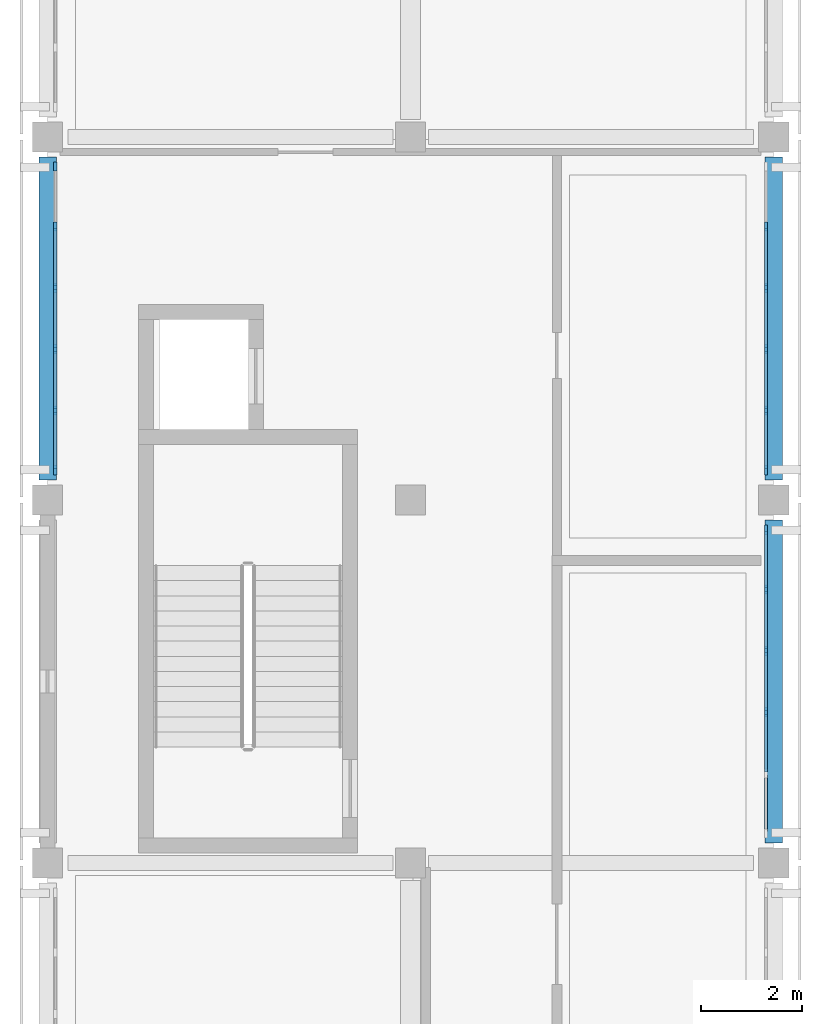
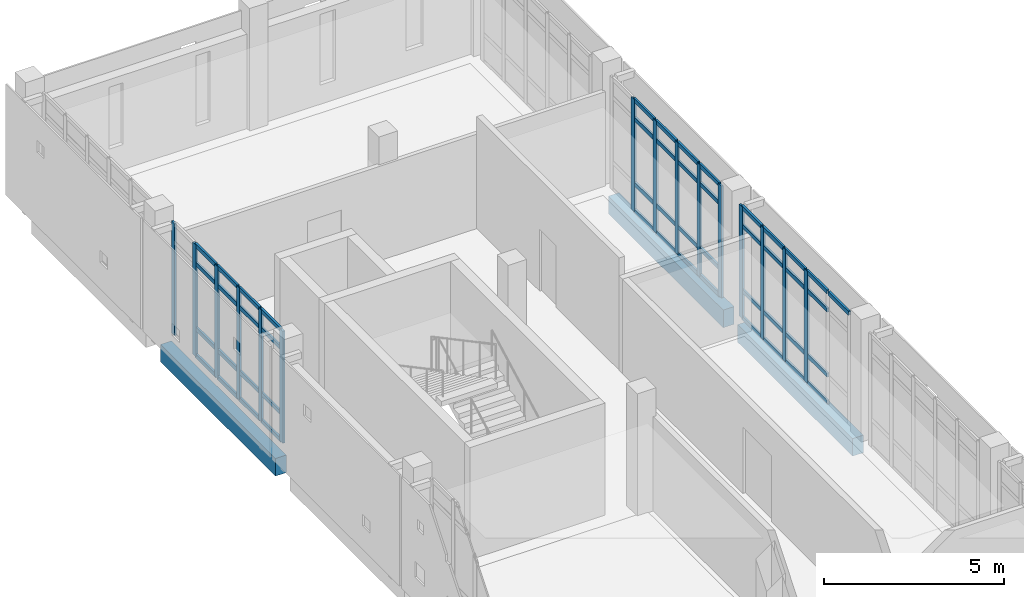
# One storey, part 8 of 21: 64 members, 3 beams, 3 elements without a shape of their own.
"""IFC4 building model written with IfcOpenShell, lengths in metres."""

from ifc_helpers import new_model, si_unit, direction, frame, origin, origin_2d, place, context, subcontext, project, spatial, rectangle, extrude, material, layer, layer_set, material_profile, profile_set, type_object, element, aggregate, save


model = new_model("IFC4")

# Units and contexts
model_context = context("Model", 3, precision=1e-05, world=origin(), true_north=direction((0.0, 1.0)))
body_context = subcontext(model_context, "Body", "Model", "MODEL_VIEW")
ifc_project = project(units=[si_unit("LENGTHUNIT", "METRE"), si_unit("AREAUNIT", "SQUARE_METRE"), si_unit("VOLUMEUNIT", "CUBIC_METRE"), si_unit("PLANEANGLEUNIT", "RADIAN"), si_unit("MASSUNIT", "GRAM", prefix="KILO")], contexts=[model_context])

# Site, building, storey
site_placement = place(None, origin())
site = spatial("IfcSite", under=ifc_project, at=site_placement, CompositionType="ELEMENT")
building_placement = place(site_placement, origin())
building = spatial("IfcBuilding", under=site, at=building_placement, Name="Valkovuoma Quantum and Materials Research Institute", CompositionType="ELEMENT")
storey_placement = place(building_placement, frame((0.0, 0.0, 29.760009765625)))
storey = spatial("IfcBuildingStorey", under=building, at=storey_placement, Name="L07", CompositionType="ELEMENT", Elevation=29.760009765625)

# Beams
ifc_material_1 = material(Name="Concrete C40/50", Category="concrete")
ifc_material_profile_1 = material_profile(ifc_material_1, rectangle(XDim=0.35009765625, YDim=0.60009765625, at=origin_2d()), Name="Concrete C40/50")
ifc_profile_set_1 = profile_set([ifc_material_profile_1], Name="Concrete C40/50")
beam_type = type_object("IfcBeamType", Name="Beam-B-SPN600", PredefinedType="SPANDREL", material=ifc_profile_set_1)
beam_1_placement = place(storey_placement, frame((0.0, 79.60009765625, -0.64990234375), z_axis=(0.0, 1.0, 0.0), x_axis=(-1.0, 0.0, 0.0)))
element("IfcBeam", 1, at=beam_1_placement, inside=storey, type_object=beam_type, Name="L07 beam Y-2511", PredefinedType="SPANDREL", context=body_context, shape_type="SweptSolid", body=[
    extrude(rectangle(XDim=0.35009765625, YDim=0.60009765625, at=origin_2d()), origin(), (0.0, 0.0, 1.0), 6.39990234375),
])
beam_2_placement = place(storey_placement, frame((14.39990234375, 72.39990234375, -0.64990234375), z_axis=(0.0, 1.0, 0.0), x_axis=(-1.0, 0.0, 0.0)))
element("IfcBeam", 2, at=beam_2_placement, inside=storey, type_object=beam_type, Name="L07 beam Y-2518", PredefinedType="SPANDREL", context=body_context, shape_type="SweptSolid", body=[
    extrude(rectangle(XDim=0.35009765625, YDim=0.60009765625, at=origin_2d()), origin(), (0.0, 0.0, 1.0), 6.400146484375),
])
beam_3_placement = place(storey_placement, frame((14.39990234375, 79.60009765625, -0.64990234375), z_axis=(0.0, 1.0, 0.0), x_axis=(-1.0, 0.0, 0.0)))
element("IfcBeam", 3, at=beam_3_placement, inside=storey, type_object=beam_type, Name="L07 beam Y-2519", PredefinedType="SPANDREL", context=body_context, shape_type="SweptSolid", body=[
    extrude(rectangle(XDim=0.35009765625, YDim=0.60009765625, at=origin_2d()), origin(), (0.0, 0.0, 1.0), 6.39990234375),
])

# Curtain wall, members
ifc_material_2 = material(Name="Thermally broken aluminium and triple low-E glazing", Category="aluminium")
ifc_layer = layer(ifc_material_2, 0.219970703125)
ifc_layer_set = layer_set([ifc_layer], Name="Thermally broken aluminium and triple low-E glazing")
curtain_wall_type = type_object("IfcCurtainWallType", Name="CW-CW-01", PredefinedType="NOTDEFINED", material=ifc_layer_set)
curtain_wall_1_placement = place(storey_placement, origin())
curtain_wall_1 = element("IfcCurtainWall", 4, at=curtain_wall_1_placement, inside=storey, type_object=curtain_wall_type, Name="L07 curtain wall 104", PredefinedType="NOTDEFINED")
ifc_material_3 = material(Name="Anodised aluminium 6060-T66", Category="aluminium")
ifc_material_profile_2 = material_profile(ifc_material_3, rectangle(XDim=0.06494140625, YDim=0.179931640625, at=origin_2d()), Name="Anodised aluminium 6060-T66")
ifc_profile_set_2 = profile_set([ifc_material_profile_2], Name="Anodised aluminium 6060-T66")
member_type_1 = type_object("IfcMemberType", Name="CWMull-CWM-01", PredefinedType="MULLION", material=ifc_profile_set_2)
member_1_placement = place(storey_placement, frame((14.25, 74.991455078125, 0.0), z_axis=(0.0, 0.0, 1.0), x_axis=(-1.0, 0.0, 0.0)))
member_1 = element("IfcMember", 5, at=member_1_placement, type_object=member_type_1, Name="CW-01 mullion 3", PredefinedType="MULLION", context=body_context, shape_type="SweptSolid", body=[
    extrude(rectangle(XDim=0.06494140625, YDim=0.179931640625, at=origin_2d()), origin(), (0.0, 0.0, 1.0), 3.81005859375),
])
member_2_placement = place(storey_placement, frame((14.25, 76.20849609375, 0.0), z_axis=(0.0, 0.0, 1.0), x_axis=(-1.0, 0.0, 0.0)))
member_2 = element("IfcMember", 6, at=member_2_placement, type_object=member_type_1, Name="CW-01 mullion 4", PredefinedType="MULLION", context=body_context, shape_type="SweptSolid", body=[
    extrude(rectangle(XDim=0.06494140625, YDim=0.179931640625, at=origin_2d()), origin(), (0.0, 0.0, 1.0), 3.81005859375),
])
member_3_placement = place(storey_placement, frame((14.25, 77.42578125, 0.0), z_axis=(0.0, 0.0, 1.0), x_axis=(-1.0, 0.0, 0.0)))
member_3 = element("IfcMember", 7, at=member_3_placement, type_object=member_type_1, Name="CW-01 mullion 5", PredefinedType="MULLION", context=body_context, shape_type="SweptSolid", body=[
    extrude(rectangle(XDim=0.06494140625, YDim=0.179931640625, at=origin_2d()), origin(), (0.0, 0.0, 1.0), 3.81005859375),
])
member_4_placement = place(storey_placement, frame((14.25, 78.6103515625, 0.0), z_axis=(0.0, 0.0, 1.0), x_axis=(-1.0, 0.0, 0.0)))
member_4 = element("IfcMember", 8, at=member_4_placement, type_object=member_type_1, Name="CW-01 mullion 6", PredefinedType="MULLION", context=body_context, shape_type="SweptSolid", body=[
    extrude(rectangle(XDim=0.06494140625, YDim=0.179931640625, at=origin_2d()), origin(), (0.0, 0.0, 1.0), 3.81005859375),
])

curtain_wall_2_placement = place(storey_placement, origin())
curtain_wall_2 = element("IfcCurtainWall", 9, at=curtain_wall_2_placement, inside=storey, type_object=curtain_wall_type, Name="L07 curtain wall 105", PredefinedType="NOTDEFINED")
member_5_placement = place(storey_placement, frame((0.14990234375, 79.78955078125, 0.0), z_axis=(0.0, 0.0, 1.0), x_axis=(-1.0, 0.0, 0.0)))
member_5 = element("IfcMember", 10, at=member_5_placement, type_object=member_type_1, Name="CW-01 mullion 1", PredefinedType="MULLION", context=body_context, shape_type="SweptSolid", body=[
    extrude(rectangle(XDim=0.06494140625, YDim=0.179931640625, at=origin_2d()), origin(), (0.0, 0.0, 1.0), 3.81005859375),
])
member_6_placement = place(storey_placement, frame((0.14990234375, 80.974365234375, 0.0), z_axis=(0.0, 0.0, 1.0), x_axis=(-1.0, 0.0, 0.0)))
member_6 = element("IfcMember", 11, at=member_6_placement, type_object=member_type_1, Name="CW-01 mullion 2", PredefinedType="MULLION", context=body_context, shape_type="SweptSolid", body=[
    extrude(rectangle(XDim=0.06494140625, YDim=0.179931640625, at=origin_2d()), origin(), (0.0, 0.0, 1.0), 3.81005859375),
])
member_7_placement = place(storey_placement, frame((0.14990234375, 82.19140625, 0.0), z_axis=(0.0, 0.0, 1.0), x_axis=(-1.0, 0.0, 0.0)))
member_7 = element("IfcMember", 12, at=member_7_placement, type_object=member_type_1, Name="CW-01 mullion 3", PredefinedType="MULLION", context=body_context, shape_type="SweptSolid", body=[
    extrude(rectangle(XDim=0.06494140625, YDim=0.179931640625, at=origin_2d()), origin(), (0.0, 0.0, 1.0), 3.81005859375),
])
member_8_placement = place(storey_placement, frame((0.14990234375, 83.40869140625, 0.0), z_axis=(0.0, 0.0, 1.0), x_axis=(-1.0, 0.0, 0.0)))
member_8 = element("IfcMember", 13, at=member_8_placement, type_object=member_type_1, Name="CW-01 mullion 4", PredefinedType="MULLION", context=body_context, shape_type="SweptSolid", body=[
    extrude(rectangle(XDim=0.06494140625, YDim=0.179931640625, at=origin_2d()), origin(), (0.0, 0.0, 1.0), 3.81005859375),
])
member_9_placement = place(storey_placement, frame((0.14990234375, 84.625732421875, 0.0), z_axis=(0.0, 0.0, 1.0), x_axis=(-1.0, 0.0, 0.0)))
member_9 = element("IfcMember", 14, at=member_9_placement, type_object=member_type_1, Name="CW-01 mullion 5", PredefinedType="MULLION", context=body_context, shape_type="SweptSolid", body=[
    extrude(rectangle(XDim=0.06494140625, YDim=0.179931640625, at=origin_2d()), origin(), (0.0, 0.0, 1.0), 3.81005859375),
])
member_10_placement = place(storey_placement, frame((0.14990234375, 85.810302734375, 0.0), z_axis=(0.0, 0.0, 1.0), x_axis=(-1.0, 0.0, 0.0)))
member_10 = element("IfcMember", 15, at=member_10_placement, type_object=member_type_1, Name="CW-01 mullion 6", PredefinedType="MULLION", context=body_context, shape_type="SweptSolid", body=[
    extrude(rectangle(XDim=0.06494140625, YDim=0.179931640625, at=origin_2d()), origin(), (0.0, 0.0, 1.0), 3.81005859375),
])

curtain_wall_3_placement = place(storey_placement, origin())
curtain_wall_3 = element("IfcCurtainWall", 16, at=curtain_wall_3_placement, inside=storey, type_object=curtain_wall_type, Name="L07 curtain wall 106", PredefinedType="NOTDEFINED")
member_11_placement = place(storey_placement, frame((14.25, 79.78955078125, 0.0), z_axis=(0.0, 0.0, 1.0), x_axis=(-1.0, 0.0, 0.0)))
member_11 = element("IfcMember", 17, at=member_11_placement, type_object=member_type_1, Name="CW-01 mullion 1", PredefinedType="MULLION", context=body_context, shape_type="SweptSolid", body=[
    extrude(rectangle(XDim=0.06494140625, YDim=0.179931640625, at=origin_2d()), origin(), (0.0, 0.0, 1.0), 3.81005859375),
])
member_12_placement = place(storey_placement, frame((14.25, 80.974365234375, 0.0), z_axis=(0.0, 0.0, 1.0), x_axis=(-1.0, 0.0, 0.0)))
member_12 = element("IfcMember", 18, at=member_12_placement, type_object=member_type_1, Name="CW-01 mullion 2", PredefinedType="MULLION", context=body_context, shape_type="SweptSolid", body=[
    extrude(rectangle(XDim=0.06494140625, YDim=0.179931640625, at=origin_2d()), origin(), (0.0, 0.0, 1.0), 3.81005859375),
])
member_13_placement = place(storey_placement, frame((14.25, 82.19140625, 0.0), z_axis=(0.0, 0.0, 1.0), x_axis=(-1.0, 0.0, 0.0)))
member_13 = element("IfcMember", 19, at=member_13_placement, type_object=member_type_1, Name="CW-01 mullion 3", PredefinedType="MULLION", context=body_context, shape_type="SweptSolid", body=[
    extrude(rectangle(XDim=0.06494140625, YDim=0.179931640625, at=origin_2d()), origin(), (0.0, 0.0, 1.0), 3.81005859375),
])
member_14_placement = place(storey_placement, frame((14.25, 83.40869140625, 0.0), z_axis=(0.0, 0.0, 1.0), x_axis=(-1.0, 0.0, 0.0)))
member_14 = element("IfcMember", 20, at=member_14_placement, type_object=member_type_1, Name="CW-01 mullion 4", PredefinedType="MULLION", context=body_context, shape_type="SweptSolid", body=[
    extrude(rectangle(XDim=0.06494140625, YDim=0.179931640625, at=origin_2d()), origin(), (0.0, 0.0, 1.0), 3.81005859375),
])
member_15_placement = place(storey_placement, frame((14.25, 84.625732421875, 0.0), z_axis=(0.0, 0.0, 1.0), x_axis=(-1.0, 0.0, 0.0)))
member_15 = element("IfcMember", 21, at=member_15_placement, type_object=member_type_1, Name="CW-01 mullion 5", PredefinedType="MULLION", context=body_context, shape_type="SweptSolid", body=[
    extrude(rectangle(XDim=0.06494140625, YDim=0.179931640625, at=origin_2d()), origin(), (0.0, 0.0, 1.0), 3.81005859375),
])

# Member
ifc_material_4 = material(Name="Anodised aluminium 6060-T66", Category="aluminium")
ifc_material_profile_3 = material_profile(ifc_material_4, rectangle(XDim=0.06494140625, YDim=0.139892578125, at=origin_2d()), Name="Anodised aluminium 6060-T66")
ifc_profile_set_3 = profile_set([ifc_material_profile_3], Name="Anodised aluminium 6060-T66")
member_type_2 = type_object("IfcMemberType", Name="CWTran-CWT-01", PredefinedType="USERDEFINED", material=ifc_profile_set_3)
member_16_placement = place(storey_placement, frame((14.25, 72.6220703125, 3.777587890625), z_axis=(0.0, 1.0, 0.0), x_axis=(-1.0, 0.0, 0.0)))
member_16 = element("IfcMember", 22, at=member_16_placement, type_object=member_type_2, Name="CW-01 transom 1.4", ObjectType="TRANSOM", PredefinedType="USERDEFINED", context=body_context, shape_type="SweptSolid", body=[
    extrude(rectangle(XDim=0.06494140625, YDim=0.139892578125, at=origin_2d()), origin(), (0.0, 0.0, 1.0), 1.11962890625),
])

member_17_placement = place(storey_placement, frame((14.25, 73.806640625, 0.032470703125), z_axis=(0.0, 1.0, 0.0), x_axis=(-1.0, 0.0, 0.0)))
member_17 = element("IfcMember", 23, at=member_17_placement, type_object=member_type_2, Name="CW-01 transom 2.1", ObjectType="TRANSOM", PredefinedType="USERDEFINED", context=body_context, shape_type="SweptSolid", body=[
    extrude(rectangle(XDim=0.06494140625, YDim=0.139892578125, at=origin_2d()), origin(), (0.0, 0.0, 1.0), 1.15234375),
])

member_18_placement = place(storey_placement, frame((14.25, 73.806640625, 0.949951171875), z_axis=(0.0, 1.0, 0.0), x_axis=(-1.0, 0.0, 0.0)))
member_18 = element("IfcMember", 24, at=member_18_placement, type_object=member_type_2, Name="CW-01 transom 2.2", ObjectType="TRANSOM", PredefinedType="USERDEFINED", context=body_context, shape_type="SweptSolid", body=[
    extrude(rectangle(XDim=0.06494140625, YDim=0.139892578125, at=origin_2d()), origin(), (0.0, 0.0, 1.0), 1.15234375),
])

member_19_placement = place(storey_placement, frame((14.25, 73.806640625, 3.159912109375), z_axis=(0.0, 1.0, 0.0), x_axis=(-1.0, 0.0, 0.0)))
member_19 = element("IfcMember", 25, at=member_19_placement, type_object=member_type_2, Name="CW-01 transom 2.3", ObjectType="TRANSOM", PredefinedType="USERDEFINED", context=body_context, shape_type="SweptSolid", body=[
    extrude(rectangle(XDim=0.06494140625, YDim=0.139892578125, at=origin_2d()), origin(), (0.0, 0.0, 1.0), 1.15234375),
])

member_20_placement = place(storey_placement, frame((14.25, 73.806640625, 3.777587890625), z_axis=(0.0, 1.0, 0.0), x_axis=(-1.0, 0.0, 0.0)))
member_20 = element("IfcMember", 26, at=member_20_placement, type_object=member_type_2, Name="CW-01 transom 2.4", ObjectType="TRANSOM", PredefinedType="USERDEFINED", context=body_context, shape_type="SweptSolid", body=[
    extrude(rectangle(XDim=0.06494140625, YDim=0.139892578125, at=origin_2d()), origin(), (0.0, 0.0, 1.0), 1.15234375),
])

member_21_placement = place(storey_placement, frame((14.25, 75.02392578125, 0.032470703125), z_axis=(0.0, 1.0, 0.0), x_axis=(-1.0, 0.0, 0.0)))
member_21 = element("IfcMember", 27, at=member_21_placement, type_object=member_type_2, Name="CW-01 transom 3.1", ObjectType="TRANSOM", PredefinedType="USERDEFINED", context=body_context, shape_type="SweptSolid", body=[
    extrude(rectangle(XDim=0.06494140625, YDim=0.139892578125, at=origin_2d()), origin(), (0.0, 0.0, 1.0), 1.152099609375),
])

member_22_placement = place(storey_placement, frame((14.25, 75.02392578125, 0.949951171875), z_axis=(0.0, 1.0, 0.0), x_axis=(-1.0, 0.0, 0.0)))
member_22 = element("IfcMember", 28, at=member_22_placement, type_object=member_type_2, Name="CW-01 transom 3.2", ObjectType="TRANSOM", PredefinedType="USERDEFINED", context=body_context, shape_type="SweptSolid", body=[
    extrude(rectangle(XDim=0.06494140625, YDim=0.139892578125, at=origin_2d()), origin(), (0.0, 0.0, 1.0), 1.152099609375),
])

member_23_placement = place(storey_placement, frame((14.25, 75.02392578125, 3.159912109375), z_axis=(0.0, 1.0, 0.0), x_axis=(-1.0, 0.0, 0.0)))
member_23 = element("IfcMember", 29, at=member_23_placement, type_object=member_type_2, Name="CW-01 transom 3.3", ObjectType="TRANSOM", PredefinedType="USERDEFINED", context=body_context, shape_type="SweptSolid", body=[
    extrude(rectangle(XDim=0.06494140625, YDim=0.139892578125, at=origin_2d()), origin(), (0.0, 0.0, 1.0), 1.152099609375),
])

member_24_placement = place(storey_placement, frame((14.25, 75.02392578125, 3.777587890625), z_axis=(0.0, 1.0, 0.0), x_axis=(-1.0, 0.0, 0.0)))
member_24 = element("IfcMember", 30, at=member_24_placement, type_object=member_type_2, Name="CW-01 transom 3.4", ObjectType="TRANSOM", PredefinedType="USERDEFINED", context=body_context, shape_type="SweptSolid", body=[
    extrude(rectangle(XDim=0.06494140625, YDim=0.139892578125, at=origin_2d()), origin(), (0.0, 0.0, 1.0), 1.152099609375),
])

member_25_placement = place(storey_placement, frame((14.25, 76.240966796875, 0.032470703125), z_axis=(0.0, 1.0, 0.0), x_axis=(-1.0, 0.0, 0.0)))
member_25 = element("IfcMember", 31, at=member_25_placement, type_object=member_type_2, Name="CW-01 transom 4.1", ObjectType="TRANSOM", PredefinedType="USERDEFINED", context=body_context, shape_type="SweptSolid", body=[
    extrude(rectangle(XDim=0.06494140625, YDim=0.139892578125, at=origin_2d()), origin(), (0.0, 0.0, 1.0), 1.15234375),
])

member_26_placement = place(storey_placement, frame((14.25, 76.240966796875, 0.949951171875), z_axis=(0.0, 1.0, 0.0), x_axis=(-1.0, 0.0, 0.0)))
member_26 = element("IfcMember", 32, at=member_26_placement, type_object=member_type_2, Name="CW-01 transom 4.2", ObjectType="TRANSOM", PredefinedType="USERDEFINED", context=body_context, shape_type="SweptSolid", body=[
    extrude(rectangle(XDim=0.06494140625, YDim=0.139892578125, at=origin_2d()), origin(), (0.0, 0.0, 1.0), 1.15234375),
])

member_27_placement = place(storey_placement, frame((14.25, 76.240966796875, 3.159912109375), z_axis=(0.0, 1.0, 0.0), x_axis=(-1.0, 0.0, 0.0)))
member_27 = element("IfcMember", 33, at=member_27_placement, type_object=member_type_2, Name="CW-01 transom 4.3", ObjectType="TRANSOM", PredefinedType="USERDEFINED", context=body_context, shape_type="SweptSolid", body=[
    extrude(rectangle(XDim=0.06494140625, YDim=0.139892578125, at=origin_2d()), origin(), (0.0, 0.0, 1.0), 1.15234375),
])

member_28_placement = place(storey_placement, frame((14.25, 76.240966796875, 3.777587890625), z_axis=(0.0, 1.0, 0.0), x_axis=(-1.0, 0.0, 0.0)))
member_28 = element("IfcMember", 34, at=member_28_placement, type_object=member_type_2, Name="CW-01 transom 4.4", ObjectType="TRANSOM", PredefinedType="USERDEFINED", context=body_context, shape_type="SweptSolid", body=[
    extrude(rectangle(XDim=0.06494140625, YDim=0.139892578125, at=origin_2d()), origin(), (0.0, 0.0, 1.0), 1.15234375),
])

member_29_placement = place(storey_placement, frame((14.25, 77.458251953125, 0.032470703125), z_axis=(0.0, 1.0, 0.0), x_axis=(-1.0, 0.0, 0.0)))
member_29 = element("IfcMember", 35, at=member_29_placement, type_object=member_type_2, Name="CW-01 transom 5.1", ObjectType="TRANSOM", PredefinedType="USERDEFINED", context=body_context, shape_type="SweptSolid", body=[
    extrude(rectangle(XDim=0.06494140625, YDim=0.139892578125, at=origin_2d()), origin(), (0.0, 0.0, 1.0), 1.11962890625),
])

member_30_placement = place(storey_placement, frame((14.25, 77.458251953125, 0.949951171875), z_axis=(0.0, 1.0, 0.0), x_axis=(-1.0, 0.0, 0.0)))
member_30 = element("IfcMember", 36, at=member_30_placement, type_object=member_type_2, Name="CW-01 transom 5.2", ObjectType="TRANSOM", PredefinedType="USERDEFINED", context=body_context, shape_type="SweptSolid", body=[
    extrude(rectangle(XDim=0.06494140625, YDim=0.139892578125, at=origin_2d()), origin(), (0.0, 0.0, 1.0), 1.11962890625),
])

member_31_placement = place(storey_placement, frame((14.25, 77.458251953125, 3.159912109375), z_axis=(0.0, 1.0, 0.0), x_axis=(-1.0, 0.0, 0.0)))
member_31 = element("IfcMember", 37, at=member_31_placement, type_object=member_type_2, Name="CW-01 transom 5.3", ObjectType="TRANSOM", PredefinedType="USERDEFINED", context=body_context, shape_type="SweptSolid", body=[
    extrude(rectangle(XDim=0.06494140625, YDim=0.139892578125, at=origin_2d()), origin(), (0.0, 0.0, 1.0), 1.11962890625),
])

member_32_placement = place(storey_placement, frame((14.25, 77.458251953125, 3.777587890625), z_axis=(0.0, 1.0, 0.0), x_axis=(-1.0, 0.0, 0.0)))
member_32 = element("IfcMember", 38, at=member_32_placement, type_object=member_type_2, Name="CW-01 transom 5.4", ObjectType="TRANSOM", PredefinedType="USERDEFINED", context=body_context, shape_type="SweptSolid", body=[
    extrude(rectangle(XDim=0.06494140625, YDim=0.139892578125, at=origin_2d()), origin(), (0.0, 0.0, 1.0), 1.11962890625),
])

aggregate(curtain_wall_1, [member_1, member_2, member_3, member_4, member_16, member_17, member_18, member_19, member_20, member_21, member_22, member_23, member_24, member_25, member_26, member_27, member_28, member_29, member_30, member_31, member_32])

member_33_placement = place(storey_placement, frame((0.14990234375, 79.822021484375, 0.032470703125), z_axis=(0.0, 1.0, 0.0), x_axis=(-1.0, 0.0, 0.0)))
member_33 = element("IfcMember", 39, at=member_33_placement, type_object=member_type_2, Name="CW-01 transom 1.1", ObjectType="TRANSOM", PredefinedType="USERDEFINED", context=body_context, shape_type="SweptSolid", body=[
    extrude(rectangle(XDim=0.06494140625, YDim=0.139892578125, at=origin_2d()), origin(), (0.0, 0.0, 1.0), 1.11962890625),
])

member_34_placement = place(storey_placement, frame((0.14990234375, 79.822021484375, 0.949951171875), z_axis=(0.0, 1.0, 0.0), x_axis=(-1.0, 0.0, 0.0)))
member_34 = element("IfcMember", 40, at=member_34_placement, type_object=member_type_2, Name="CW-01 transom 1.2", ObjectType="TRANSOM", PredefinedType="USERDEFINED", context=body_context, shape_type="SweptSolid", body=[
    extrude(rectangle(XDim=0.06494140625, YDim=0.139892578125, at=origin_2d()), origin(), (0.0, 0.0, 1.0), 1.11962890625),
])

member_35_placement = place(storey_placement, frame((0.14990234375, 79.822021484375, 3.159912109375), z_axis=(0.0, 1.0, 0.0), x_axis=(-1.0, 0.0, 0.0)))
member_35 = element("IfcMember", 41, at=member_35_placement, type_object=member_type_2, Name="CW-01 transom 1.3", ObjectType="TRANSOM", PredefinedType="USERDEFINED", context=body_context, shape_type="SweptSolid", body=[
    extrude(rectangle(XDim=0.06494140625, YDim=0.139892578125, at=origin_2d()), origin(), (0.0, 0.0, 1.0), 1.11962890625),
])

member_36_placement = place(storey_placement, frame((0.14990234375, 79.822021484375, 3.777587890625), z_axis=(0.0, 1.0, 0.0), x_axis=(-1.0, 0.0, 0.0)))
member_36 = element("IfcMember", 42, at=member_36_placement, type_object=member_type_2, Name="CW-01 transom 1.4", ObjectType="TRANSOM", PredefinedType="USERDEFINED", context=body_context, shape_type="SweptSolid", body=[
    extrude(rectangle(XDim=0.06494140625, YDim=0.139892578125, at=origin_2d()), origin(), (0.0, 0.0, 1.0), 1.11962890625),
])

member_37_placement = place(storey_placement, frame((0.14990234375, 81.0068359375, 0.032470703125), z_axis=(0.0, 1.0, 0.0), x_axis=(-1.0, 0.0, 0.0)))
member_37 = element("IfcMember", 43, at=member_37_placement, type_object=member_type_2, Name="CW-01 transom 2.1", ObjectType="TRANSOM", PredefinedType="USERDEFINED", context=body_context, shape_type="SweptSolid", body=[
    extrude(rectangle(XDim=0.06494140625, YDim=0.139892578125, at=origin_2d()), origin(), (0.0, 0.0, 1.0), 1.152099609375),
])

member_38_placement = place(storey_placement, frame((0.14990234375, 81.0068359375, 0.949951171875), z_axis=(0.0, 1.0, 0.0), x_axis=(-1.0, 0.0, 0.0)))
member_38 = element("IfcMember", 44, at=member_38_placement, type_object=member_type_2, Name="CW-01 transom 2.2", ObjectType="TRANSOM", PredefinedType="USERDEFINED", context=body_context, shape_type="SweptSolid", body=[
    extrude(rectangle(XDim=0.06494140625, YDim=0.139892578125, at=origin_2d()), origin(), (0.0, 0.0, 1.0), 1.152099609375),
])

member_39_placement = place(storey_placement, frame((0.14990234375, 81.0068359375, 3.159912109375), z_axis=(0.0, 1.0, 0.0), x_axis=(-1.0, 0.0, 0.0)))
member_39 = element("IfcMember", 45, at=member_39_placement, type_object=member_type_2, Name="CW-01 transom 2.3", ObjectType="TRANSOM", PredefinedType="USERDEFINED", context=body_context, shape_type="SweptSolid", body=[
    extrude(rectangle(XDim=0.06494140625, YDim=0.139892578125, at=origin_2d()), origin(), (0.0, 0.0, 1.0), 1.152099609375),
])

member_40_placement = place(storey_placement, frame((0.14990234375, 81.0068359375, 3.777587890625), z_axis=(0.0, 1.0, 0.0), x_axis=(-1.0, 0.0, 0.0)))
member_40 = element("IfcMember", 46, at=member_40_placement, type_object=member_type_2, Name="CW-01 transom 2.4", ObjectType="TRANSOM", PredefinedType="USERDEFINED", context=body_context, shape_type="SweptSolid", body=[
    extrude(rectangle(XDim=0.06494140625, YDim=0.139892578125, at=origin_2d()), origin(), (0.0, 0.0, 1.0), 1.152099609375),
])

member_41_placement = place(storey_placement, frame((0.14990234375, 82.223876953125, 0.032470703125), z_axis=(0.0, 1.0, 0.0), x_axis=(-1.0, 0.0, 0.0)))
member_41 = element("IfcMember", 47, at=member_41_placement, type_object=member_type_2, Name="CW-01 transom 3.1", ObjectType="TRANSOM", PredefinedType="USERDEFINED", context=body_context, shape_type="SweptSolid", body=[
    extrude(rectangle(XDim=0.06494140625, YDim=0.139892578125, at=origin_2d()), origin(), (0.0, 0.0, 1.0), 1.152099609375),
])

member_42_placement = place(storey_placement, frame((0.14990234375, 82.223876953125, 0.949951171875), z_axis=(0.0, 1.0, 0.0), x_axis=(-1.0, 0.0, 0.0)))
member_42 = element("IfcMember", 48, at=member_42_placement, type_object=member_type_2, Name="CW-01 transom 3.2", ObjectType="TRANSOM", PredefinedType="USERDEFINED", context=body_context, shape_type="SweptSolid", body=[
    extrude(rectangle(XDim=0.06494140625, YDim=0.139892578125, at=origin_2d()), origin(), (0.0, 0.0, 1.0), 1.152099609375),
])

member_43_placement = place(storey_placement, frame((0.14990234375, 82.223876953125, 3.159912109375), z_axis=(0.0, 1.0, 0.0), x_axis=(-1.0, 0.0, 0.0)))
member_43 = element("IfcMember", 49, at=member_43_placement, type_object=member_type_2, Name="CW-01 transom 3.3", ObjectType="TRANSOM", PredefinedType="USERDEFINED", context=body_context, shape_type="SweptSolid", body=[
    extrude(rectangle(XDim=0.06494140625, YDim=0.139892578125, at=origin_2d()), origin(), (0.0, 0.0, 1.0), 1.152099609375),
])

member_44_placement = place(storey_placement, frame((0.14990234375, 82.223876953125, 3.777587890625), z_axis=(0.0, 1.0, 0.0), x_axis=(-1.0, 0.0, 0.0)))
member_44 = element("IfcMember", 50, at=member_44_placement, type_object=member_type_2, Name="CW-01 transom 3.4", ObjectType="TRANSOM", PredefinedType="USERDEFINED", context=body_context, shape_type="SweptSolid", body=[
    extrude(rectangle(XDim=0.06494140625, YDim=0.139892578125, at=origin_2d()), origin(), (0.0, 0.0, 1.0), 1.152099609375),
])

member_45_placement = place(storey_placement, frame((0.14990234375, 83.441162109375, 0.032470703125), z_axis=(0.0, 1.0, 0.0), x_axis=(-1.0, 0.0, 0.0)))
member_45 = element("IfcMember", 51, at=member_45_placement, type_object=member_type_2, Name="CW-01 transom 4.1", ObjectType="TRANSOM", PredefinedType="USERDEFINED", context=body_context, shape_type="SweptSolid", body=[
    extrude(rectangle(XDim=0.06494140625, YDim=0.139892578125, at=origin_2d()), origin(), (0.0, 0.0, 1.0), 1.152099609375),
])

member_46_placement = place(storey_placement, frame((0.14990234375, 83.441162109375, 0.949951171875), z_axis=(0.0, 1.0, 0.0), x_axis=(-1.0, 0.0, 0.0)))
member_46 = element("IfcMember", 52, at=member_46_placement, type_object=member_type_2, Name="CW-01 transom 4.2", ObjectType="TRANSOM", PredefinedType="USERDEFINED", context=body_context, shape_type="SweptSolid", body=[
    extrude(rectangle(XDim=0.06494140625, YDim=0.139892578125, at=origin_2d()), origin(), (0.0, 0.0, 1.0), 1.152099609375),
])

member_47_placement = place(storey_placement, frame((0.14990234375, 83.441162109375, 3.159912109375), z_axis=(0.0, 1.0, 0.0), x_axis=(-1.0, 0.0, 0.0)))
member_47 = element("IfcMember", 53, at=member_47_placement, type_object=member_type_2, Name="CW-01 transom 4.3", ObjectType="TRANSOM", PredefinedType="USERDEFINED", context=body_context, shape_type="SweptSolid", body=[
    extrude(rectangle(XDim=0.06494140625, YDim=0.139892578125, at=origin_2d()), origin(), (0.0, 0.0, 1.0), 1.152099609375),
])

member_48_placement = place(storey_placement, frame((0.14990234375, 83.441162109375, 3.777587890625), z_axis=(0.0, 1.0, 0.0), x_axis=(-1.0, 0.0, 0.0)))
member_48 = element("IfcMember", 54, at=member_48_placement, type_object=member_type_2, Name="CW-01 transom 4.4", ObjectType="TRANSOM", PredefinedType="USERDEFINED", context=body_context, shape_type="SweptSolid", body=[
    extrude(rectangle(XDim=0.06494140625, YDim=0.139892578125, at=origin_2d()), origin(), (0.0, 0.0, 1.0), 1.152099609375),
])

aggregate(curtain_wall_2, [member_5, member_6, member_7, member_8, member_9, member_10, member_33, member_34, member_35, member_36, member_37, member_38, member_39, member_40, member_41, member_42, member_43, member_44, member_45, member_46, member_47, member_48])

member_49_placement = place(storey_placement, frame((14.25, 79.822021484375, 0.032470703125), z_axis=(0.0, 1.0, 0.0), x_axis=(-1.0, 0.0, 0.0)))
member_49 = element("IfcMember", 55, at=member_49_placement, type_object=member_type_2, Name="CW-01 transom 1.1", ObjectType="TRANSOM", PredefinedType="USERDEFINED", context=body_context, shape_type="SweptSolid", body=[
    extrude(rectangle(XDim=0.06494140625, YDim=0.139892578125, at=origin_2d()), origin(), (0.0, 0.0, 1.0), 1.11962890625),
])

member_50_placement = place(storey_placement, frame((14.25, 79.822021484375, 0.949951171875), z_axis=(0.0, 1.0, 0.0), x_axis=(-1.0, 0.0, 0.0)))
member_50 = element("IfcMember", 56, at=member_50_placement, type_object=member_type_2, Name="CW-01 transom 1.2", ObjectType="TRANSOM", PredefinedType="USERDEFINED", context=body_context, shape_type="SweptSolid", body=[
    extrude(rectangle(XDim=0.06494140625, YDim=0.139892578125, at=origin_2d()), origin(), (0.0, 0.0, 1.0), 1.11962890625),
])

member_51_placement = place(storey_placement, frame((14.25, 79.822021484375, 3.159912109375), z_axis=(0.0, 1.0, 0.0), x_axis=(-1.0, 0.0, 0.0)))
member_51 = element("IfcMember", 57, at=member_51_placement, type_object=member_type_2, Name="CW-01 transom 1.3", ObjectType="TRANSOM", PredefinedType="USERDEFINED", context=body_context, shape_type="SweptSolid", body=[
    extrude(rectangle(XDim=0.06494140625, YDim=0.139892578125, at=origin_2d()), origin(), (0.0, 0.0, 1.0), 1.11962890625),
])

member_52_placement = place(storey_placement, frame((14.25, 79.822021484375, 3.777587890625), z_axis=(0.0, 1.0, 0.0), x_axis=(-1.0, 0.0, 0.0)))
member_52 = element("IfcMember", 58, at=member_52_placement, type_object=member_type_2, Name="CW-01 transom 1.4", ObjectType="TRANSOM", PredefinedType="USERDEFINED", context=body_context, shape_type="SweptSolid", body=[
    extrude(rectangle(XDim=0.06494140625, YDim=0.139892578125, at=origin_2d()), origin(), (0.0, 0.0, 1.0), 1.11962890625),
])

member_53_placement = place(storey_placement, frame((14.25, 81.0068359375, 0.032470703125), z_axis=(0.0, 1.0, 0.0), x_axis=(-1.0, 0.0, 0.0)))
member_53 = element("IfcMember", 59, at=member_53_placement, type_object=member_type_2, Name="CW-01 transom 2.1", ObjectType="TRANSOM", PredefinedType="USERDEFINED", context=body_context, shape_type="SweptSolid", body=[
    extrude(rectangle(XDim=0.06494140625, YDim=0.139892578125, at=origin_2d()), origin(), (0.0, 0.0, 1.0), 1.152099609375),
])

member_54_placement = place(storey_placement, frame((14.25, 81.0068359375, 0.949951171875), z_axis=(0.0, 1.0, 0.0), x_axis=(-1.0, 0.0, 0.0)))
member_54 = element("IfcMember", 60, at=member_54_placement, type_object=member_type_2, Name="CW-01 transom 2.2", ObjectType="TRANSOM", PredefinedType="USERDEFINED", context=body_context, shape_type="SweptSolid", body=[
    extrude(rectangle(XDim=0.06494140625, YDim=0.139892578125, at=origin_2d()), origin(), (0.0, 0.0, 1.0), 1.152099609375),
])

member_55_placement = place(storey_placement, frame((14.25, 81.0068359375, 3.159912109375), z_axis=(0.0, 1.0, 0.0), x_axis=(-1.0, 0.0, 0.0)))
member_55 = element("IfcMember", 61, at=member_55_placement, type_object=member_type_2, Name="CW-01 transom 2.3", ObjectType="TRANSOM", PredefinedType="USERDEFINED", context=body_context, shape_type="SweptSolid", body=[
    extrude(rectangle(XDim=0.06494140625, YDim=0.139892578125, at=origin_2d()), origin(), (0.0, 0.0, 1.0), 1.152099609375),
])

member_56_placement = place(storey_placement, frame((14.25, 81.0068359375, 3.777587890625), z_axis=(0.0, 1.0, 0.0), x_axis=(-1.0, 0.0, 0.0)))
member_56 = element("IfcMember", 62, at=member_56_placement, type_object=member_type_2, Name="CW-01 transom 2.4", ObjectType="TRANSOM", PredefinedType="USERDEFINED", context=body_context, shape_type="SweptSolid", body=[
    extrude(rectangle(XDim=0.06494140625, YDim=0.139892578125, at=origin_2d()), origin(), (0.0, 0.0, 1.0), 1.152099609375),
])

member_57_placement = place(storey_placement, frame((14.25, 82.223876953125, 0.032470703125), z_axis=(0.0, 1.0, 0.0), x_axis=(-1.0, 0.0, 0.0)))
member_57 = element("IfcMember", 63, at=member_57_placement, type_object=member_type_2, Name="CW-01 transom 3.1", ObjectType="TRANSOM", PredefinedType="USERDEFINED", context=body_context, shape_type="SweptSolid", body=[
    extrude(rectangle(XDim=0.06494140625, YDim=0.139892578125, at=origin_2d()), origin(), (0.0, 0.0, 1.0), 1.152099609375),
])

member_58_placement = place(storey_placement, frame((14.25, 82.223876953125, 0.949951171875), z_axis=(0.0, 1.0, 0.0), x_axis=(-1.0, 0.0, 0.0)))
member_58 = element("IfcMember", 64, at=member_58_placement, type_object=member_type_2, Name="CW-01 transom 3.2", ObjectType="TRANSOM", PredefinedType="USERDEFINED", context=body_context, shape_type="SweptSolid", body=[
    extrude(rectangle(XDim=0.06494140625, YDim=0.139892578125, at=origin_2d()), origin(), (0.0, 0.0, 1.0), 1.152099609375),
])

member_59_placement = place(storey_placement, frame((14.25, 82.223876953125, 3.159912109375), z_axis=(0.0, 1.0, 0.0), x_axis=(-1.0, 0.0, 0.0)))
member_59 = element("IfcMember", 65, at=member_59_placement, type_object=member_type_2, Name="CW-01 transom 3.3", ObjectType="TRANSOM", PredefinedType="USERDEFINED", context=body_context, shape_type="SweptSolid", body=[
    extrude(rectangle(XDim=0.06494140625, YDim=0.139892578125, at=origin_2d()), origin(), (0.0, 0.0, 1.0), 1.152099609375),
])

member_60_placement = place(storey_placement, frame((14.25, 82.223876953125, 3.777587890625), z_axis=(0.0, 1.0, 0.0), x_axis=(-1.0, 0.0, 0.0)))
member_60 = element("IfcMember", 66, at=member_60_placement, type_object=member_type_2, Name="CW-01 transom 3.4", ObjectType="TRANSOM", PredefinedType="USERDEFINED", context=body_context, shape_type="SweptSolid", body=[
    extrude(rectangle(XDim=0.06494140625, YDim=0.139892578125, at=origin_2d()), origin(), (0.0, 0.0, 1.0), 1.152099609375),
])

member_61_placement = place(storey_placement, frame((14.25, 83.441162109375, 0.032470703125), z_axis=(0.0, 1.0, 0.0), x_axis=(-1.0, 0.0, 0.0)))
member_61 = element("IfcMember", 67, at=member_61_placement, type_object=member_type_2, Name="CW-01 transom 4.1", ObjectType="TRANSOM", PredefinedType="USERDEFINED", context=body_context, shape_type="SweptSolid", body=[
    extrude(rectangle(XDim=0.06494140625, YDim=0.139892578125, at=origin_2d()), origin(), (0.0, 0.0, 1.0), 1.152099609375),
])

member_62_placement = place(storey_placement, frame((14.25, 83.441162109375, 0.949951171875), z_axis=(0.0, 1.0, 0.0), x_axis=(-1.0, 0.0, 0.0)))
member_62 = element("IfcMember", 68, at=member_62_placement, type_object=member_type_2, Name="CW-01 transom 4.2", ObjectType="TRANSOM", PredefinedType="USERDEFINED", context=body_context, shape_type="SweptSolid", body=[
    extrude(rectangle(XDim=0.06494140625, YDim=0.139892578125, at=origin_2d()), origin(), (0.0, 0.0, 1.0), 1.152099609375),
])

member_63_placement = place(storey_placement, frame((14.25, 83.441162109375, 3.159912109375), z_axis=(0.0, 1.0, 0.0), x_axis=(-1.0, 0.0, 0.0)))
member_63 = element("IfcMember", 69, at=member_63_placement, type_object=member_type_2, Name="CW-01 transom 4.3", ObjectType="TRANSOM", PredefinedType="USERDEFINED", context=body_context, shape_type="SweptSolid", body=[
    extrude(rectangle(XDim=0.06494140625, YDim=0.139892578125, at=origin_2d()), origin(), (0.0, 0.0, 1.0), 1.152099609375),
])

member_64_placement = place(storey_placement, frame((14.25, 83.441162109375, 3.777587890625), z_axis=(0.0, 1.0, 0.0), x_axis=(-1.0, 0.0, 0.0)))
member_64 = element("IfcMember", 70, at=member_64_placement, type_object=member_type_2, Name="CW-01 transom 4.4", ObjectType="TRANSOM", PredefinedType="USERDEFINED", context=body_context, shape_type="SweptSolid", body=[
    extrude(rectangle(XDim=0.06494140625, YDim=0.139892578125, at=origin_2d()), origin(), (0.0, 0.0, 1.0), 1.152099609375),
])

aggregate(curtain_wall_3, [member_11, member_12, member_13, member_14, member_15, member_49, member_50, member_51, member_52, member_53, member_54, member_55, member_56, member_57, member_58, member_59, member_60, member_61, member_62, member_63, member_64])

save(model, "model.ifc")
